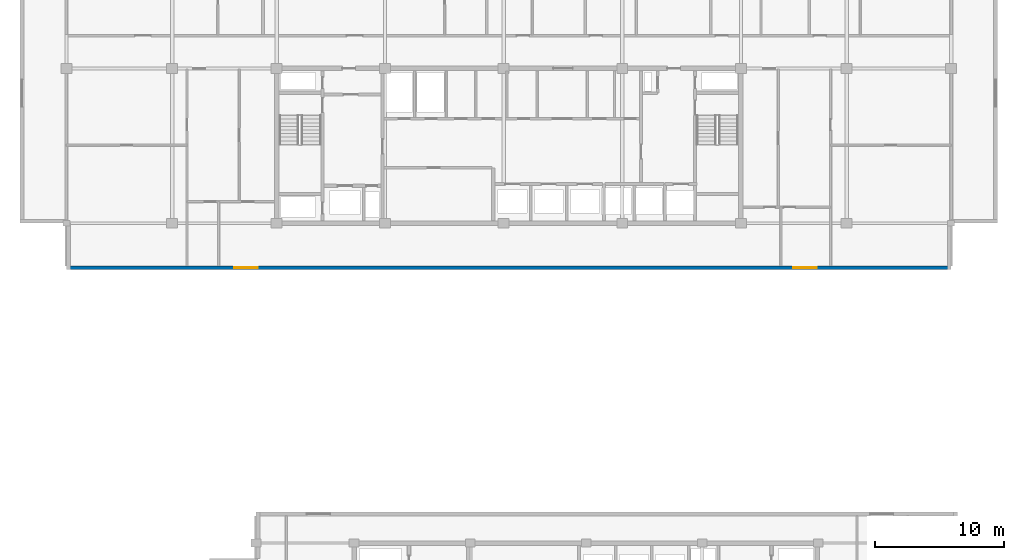
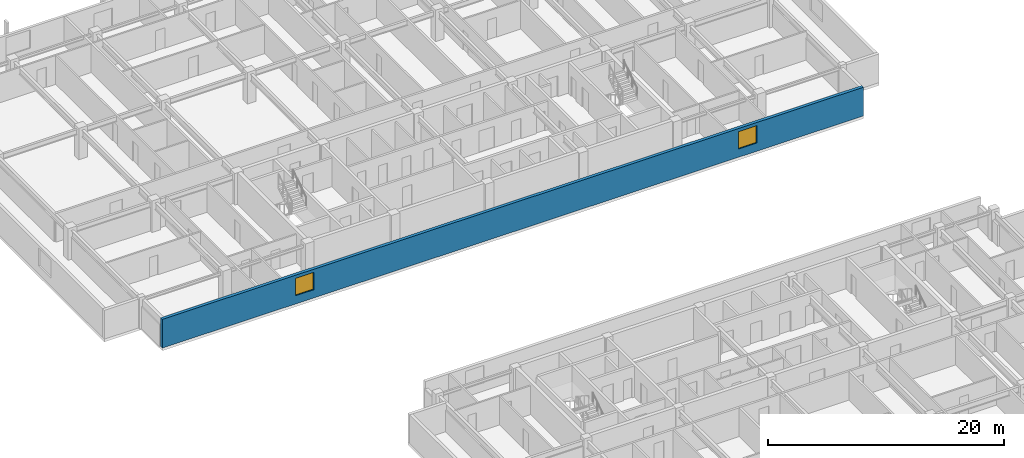
# One storey, part 8 of 21: 2 windows, 1 wall, 2 openings.
"""IFC4 building model written with IfcOpenShell, lengths in metres."""

from ifc_helpers import new_model, si_unit, direction, frame, frame_2d, origin, place, context, subcontext, project, spatial, rectangle, extrude, material, layer, layer_set, type_object, element, fill, save


model = new_model("IFC4")

# Units and contexts
model_context = context("Model", 3, precision=1e-05, world=origin(), true_north=direction((0.0, 1.0)))
body_context = subcontext(model_context, "Body", "Model", "MODEL_VIEW")
ifc_project = project(units=[si_unit("LENGTHUNIT", "METRE"), si_unit("AREAUNIT", "SQUARE_METRE"), si_unit("VOLUMEUNIT", "CUBIC_METRE"), si_unit("PLANEANGLEUNIT", "RADIAN"), si_unit("MASSUNIT", "GRAM", prefix="KILO")], contexts=[model_context])

# Site, building, storey
site_placement = place(None, origin())
site = spatial("IfcSite", under=ifc_project, at=site_placement, CompositionType="ELEMENT")
building_placement = place(site_placement, origin())
building = spatial("IfcBuilding", under=site, at=building_placement, Name="Korimba Cascade Residences", CompositionType="ELEMENT")
storey_placement = place(building_placement, frame((0.0, 0.0, 171.85009765625)))
storey = spatial("IfcBuildingStorey", under=building, at=storey_placement, Name="L49", CompositionType="ELEMENT", Elevation=171.85009765625)

# Wall, openings, windows
ifc_material_1 = material(Name="Precast concrete C40/50", Category="concrete")
ifc_layer = layer(ifc_material_1, 0.300048828125)
ifc_layer_set = layer_set([ifc_layer], Name="Precast concrete C40/50")
wall_type = type_object("IfcWallType", Name="EW-STONE-300", PredefinedType="STANDARD", material=ifc_layer_set)
wall_placement = place(storey_placement, frame((59.800048828125, 51.75, 0.0), z_axis=(0.0, 0.0, 1.0), x_axis=(1.0, 0.0, 0.0)))
wall = element("IfcWall", 1, at=wall_placement, inside=storey, type_object=wall_type, Name="L49 T1 Perimeter Stone Wall E00", PredefinedType="STANDARD", context=body_context, shape_type="SweptSolid", body=[
    extrude(rectangle(XDim=68.599853515625, YDim=0.300048828125, at=frame_2d((34.2998046875, 0.0))), origin(), (0.0, 0.0, 1.0), 2.969970703125),
])
opening_1_placement = place(wall_placement, frame((13.02490234375, 0.0, 0.85009765625)))
opening_1 = element("IfcOpeningElement", 2, at=opening_1_placement, cuts=wall, Name="Opening W-02", PredefinedType="OPENING", context=body_context, shape_type="SweptSolid", body=[
    extrude(rectangle(XDim=1.800048828125, YDim=1.800048828125, at=frame_2d((0.89990234375, 0.89990234375))), frame((0.0, 0.16015625, 0.0), z_axis=(0.0, -1.0, 0.0), x_axis=(1.0, 0.0, 0.0)), (0.0, 0.0, 1.0), 0.320068359375),
])
opening_2_placement = place(wall_placement, frame((56.375, 0.0, 0.85009765625)))
opening_2 = element("IfcOpeningElement", 3, at=opening_2_placement, cuts=wall, Name="Opening W-02", PredefinedType="OPENING", context=body_context, shape_type="SweptSolid", body=[
    extrude(rectangle(XDim=1.800048828125, YDim=1.800048828125, at=frame_2d((0.89990234375, 0.89990234375))), frame((0.0, 0.16015625, 0.0), z_axis=(0.0, -1.0, 0.0), x_axis=(1.0, 0.0, 0.0)), (0.0, 0.0, 1.0), 0.320068359375),
])
ifc_material_2 = material(Name="Double-Glazed Aluminium Window", Category="aluminium")
window_type = type_object("IfcWindowType", Name="WIN-BED-1800", PartitioningType="SINGLE_PANEL", PredefinedType="WINDOW", material=ifc_material_2)
window_1_placement = place(opening_1_placement, origin())
window_1 = element("IfcWindow", 4, at=window_1_placement, inside=storey, type_object=window_type, Name="L49 T1 South Corner Bedroom Window 1", OverallHeight=1.800048828125, OverallWidth=1.800048828125, PartitioningType="SINGLE_PANEL", PredefinedType="WINDOW", context=body_context, shape_type="SweptSolid", body=[
    extrude(rectangle(XDim=1.800048828125, YDim=1.800048828125, at=frame_2d((0.89990234375, 0.89990234375))), frame((0.0, 0.030029296875, 0.0), z_axis=(0.0, -1.0, 0.0), x_axis=(1.0, 0.0, 0.0)), (0.0, 0.0, 1.0), 0.06005859375),
])
fill(opening_1, window_1)
window_2_placement = place(opening_2_placement, origin())
window_2 = element("IfcWindow", 5, at=window_2_placement, inside=storey, type_object=window_type, Name="L49 T1 South Corner Bedroom Window 2", OverallHeight=1.800048828125, OverallWidth=1.800048828125, PartitioningType="SINGLE_PANEL", PredefinedType="WINDOW", context=body_context, shape_type="SweptSolid", body=[
    extrude(rectangle(XDim=1.800048828125, YDim=1.800048828125, at=frame_2d((0.89990234375, 0.89990234375))), frame((0.0, 0.030029296875, 0.0), z_axis=(0.0, -1.0, 0.0), x_axis=(1.0, 0.0, 0.0)), (0.0, 0.0, 1.0), 0.06005859375),
])
fill(opening_2, window_2)

save(model, "model.ifc")
